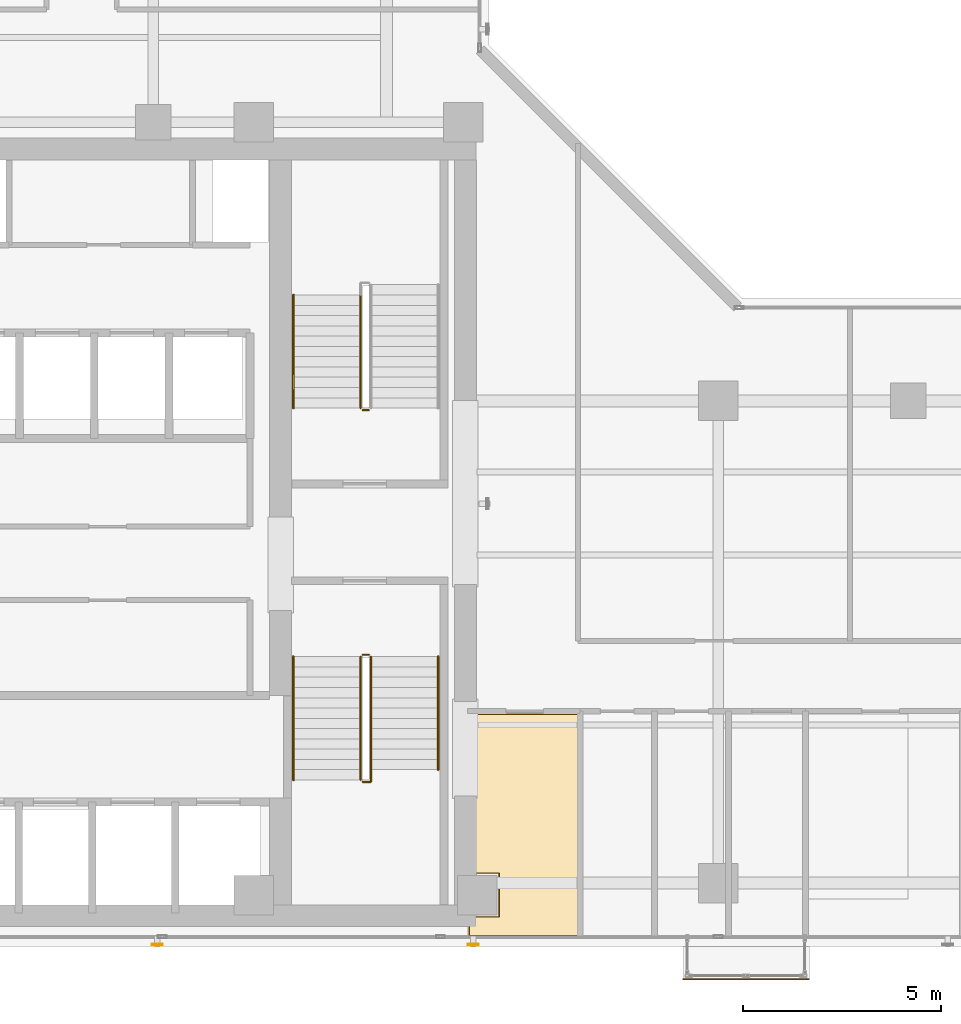
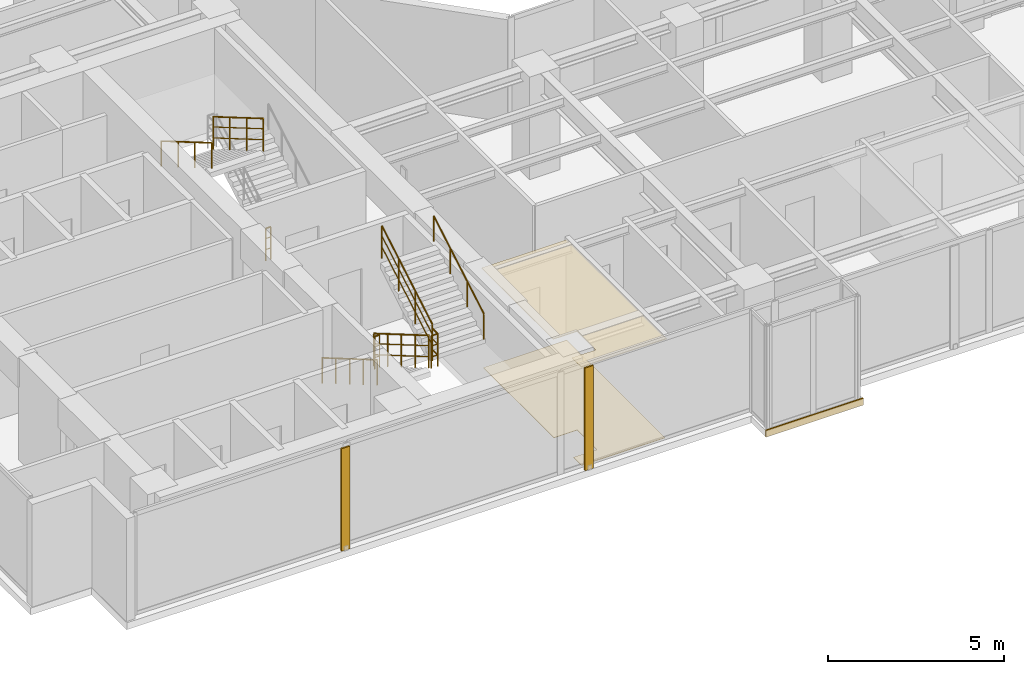
# One storey, part 20 of 22: 9 railings, 3 coverings, 2 shading devices.
"""IFC4 building model written with IfcOpenShell, lengths in metres."""

from ifc_helpers import new_model, si_unit, direction, frame, origin, origin_2d, place, context, subcontext, project, spatial, polyline, rectangle, hollow_rectangle, circle, outline, extrude, material, layer, layer_set, material_profile, profile_set, type_object, element, save


model = new_model("IFC4")

# Units and contexts
model_context = context("Model", 3, precision=1e-05, world=origin(), true_north=direction((0.0, 1.0)))
body_context = subcontext(model_context, "Body", "Model", "MODEL_VIEW")
ifc_project = project(units=[si_unit("LENGTHUNIT", "METRE"), si_unit("AREAUNIT", "SQUARE_METRE"), si_unit("VOLUMEUNIT", "CUBIC_METRE"), si_unit("PLANEANGLEUNIT", "RADIAN"), si_unit("MASSUNIT", "GRAM", prefix="KILO")], contexts=[model_context])

# Site, building, storey
site_placement = place(None, origin())
site = spatial("IfcSite", under=ifc_project, at=site_placement, CompositionType="ELEMENT")
building_placement = place(site_placement, origin())
building = spatial("IfcBuilding", under=site, at=building_placement, Name="Kolvaren Waterfront Exchange", CompositionType="ELEMENT")
storey_placement = place(building_placement, frame((0.0, 0.0, 246.300048828125)))
storey = spatial("IfcBuildingStorey", under=building, at=storey_placement, Name="L63", CompositionType="ELEMENT", Elevation=246.300048828125)

# Coverings
ifc_material_1 = material(Name="Mineral fibre acoustic ceiling tile")
ifc_layer_1 = layer(ifc_material_1, 0.02490234375, Name="Mineral fibre acoustic ceiling tile")
ifc_layer_set_1 = layer_set([ifc_layer_1], Name="Mineral fibre acoustic ceiling tile")
covering_type_1 = type_object("IfcCoveringType", Name="ARC-CEIL-ACOUSTIC-25", PredefinedType="CEILING", material=ifc_layer_set_1)
covering_1_placement = place(storey_placement, frame((0.0, 0.0, 3.445068359375)))
element("IfcCovering", 1, at=covering_1_placement, inside=storey, type_object=covering_type_1, Name="L63 acoustic suspended ceiling 1", PredefinedType="CEILING", context=body_context, shape_type="SweptSolid", body=[
    extrude(outline(polyline([(20.864990234375, 5.43994140625), (21.639892578125, 5.43994140625), (21.639892578125, 4.360107421875), (20.864990234375, 4.360107421875), (20.864990234375, 3.844970703125), (23.675048828125, 3.844970703125), (23.675048828125, 9.5048828125), (20.864990234375, 9.5048828125), (20.864990234375, 5.43994140625)])), origin(), (0.0, 0.0, 1.0), 0.02490234375),
])
ifc_material_2 = material(Name="Anodised bronze fascia aluminium", Category="aluminium")
ifc_layer_2 = layer(ifc_material_2, 0.034912109375, Name="Anodised bronze fascia aluminium")
ifc_layer_set_2 = layer_set([ifc_layer_2], Name="Anodised bronze fascia aluminium")
covering_type_2 = type_object("IfcCoveringType", Name="ARC-CLAD-BRONZE-35", PredefinedType="CLADDING", material=ifc_layer_set_2)
covering_2_placement = place(storey_placement, frame((27.89990234375, 2.77001953125, -0.22021484375), z_axis=(0.0, 0.0, 1.0), x_axis=(1.0, 0.0, 0.0)))
element("IfcCovering", 2, at=covering_2_placement, inside=storey, type_object=covering_type_2, Name="L63 ribbed anodised bronze bay-box fascia", PredefinedType="CLADDING", context=body_context, shape_type="SweptSolid", body=[
    extrude(rectangle(XDim=3.199951171875, YDim=0.034912109375, at=origin_2d()), origin(), (0.0, 0.0, 1.0), 0.239990234375),
])

# Shading devices
ifc_material_3 = material(Name="Anodised bronze aluminium 6063-T6", Category="aluminium")
ifc_material_profile = material_profile(ifc_material_3, hollow_rectangle(XDim=0.054931640625, YDim=0.280029296875, WallThickness=0.00439453125, at=origin_2d()), Name="BRZ-FIN-280x55x4.5")
ifc_profile_set = profile_set([ifc_material_profile], Name="Anodised bronze aluminium 6063-T6")
shading_device_type = type_object("IfcShadingDeviceType", Name="ARC-FIN-280", PredefinedType="USERDEFINED", material=ifc_profile_set)
for number, where, z_axis, x_axis, name in (
    (3, (13.0, 3.639892578125, 0.0), (0.0, 0.0, 1.0), (0.0, -1.0, 0.0), "L63 anodised bronze solar shading fin FIN-L63-S1"),
    (4, (21.0, 3.639892578125, 0.0), (0.0, 0.0, 1.0), (0.0, -1.0, 0.0), "L63 anodised bronze solar shading fin FIN-L63-S2"),
):
    element("IfcShadingDevice", number, at=place(storey_placement, frame(where, z_axis=z_axis, x_axis=x_axis)), inside=storey, type_object=shading_device_type, Name=name, ObjectType="SOLAR FIN", PredefinedType="USERDEFINED", context=body_context, shape_type="SweptSolid", body=[
        extrude(hollow_rectangle(XDim=0.054931640625, YDim=0.280029296875, WallThickness=0.00439453125, at=origin_2d()), origin(), (0.0, 0.0, 1.0), 3.56005859375),
    ])

# Covering
ifc_material_4 = material(Name="Slip-resistant porcelain tile")
ifc_layer_3 = layer(ifc_material_4, 0.014892578125, Name="Slip-resistant porcelain tile")
ifc_layer_set_3 = layer_set([ifc_layer_3], Name="Slip-resistant porcelain tile")
covering_type_3 = type_object("IfcCoveringType", Name="ARC-FLR-PORC-15", PredefinedType="FLOORING", material=ifc_layer_set_3)
covering_3_placement = place(storey_placement, origin())
element("IfcCovering", 5, at=covering_3_placement, inside=storey, type_object=covering_type_3, Name="L63 floor finish 1", PredefinedType="FLOORING", context=body_context, shape_type="SweptSolid", body=[
    extrude(outline(polyline([(20.89990234375, 4.340087890625), (20.89990234375, 3.8798828125), (23.639892578125, 3.8798828125), (23.639892578125, 9.469970703125), (20.89990234375, 9.469970703125), (20.89990234375, 5.4599609375), (21.659912109375, 5.4599609375), (21.659912109375, 4.340087890625), (20.89990234375, 4.340087890625)])), origin(), (0.0, 0.0, 1.0), 0.014892578125),
])

# Railings
ifc_material_5 = material(Name="Stainless steel 316", Category="steel")
railing_type_1 = type_object("IfcRailingType", Name="ARC-GUARD-STAIR", PredefinedType="GUARDRAIL", material=ifc_material_5)
railing_1_placement = place(storey_placement, frame((18.14990234375, 10.929931640625, 0.15185546875)))
element("IfcRailing", 6, at=railing_1_placement, inside=storey, type_object=railing_type_1, Name="L63 ST1 stair guard 1", PredefinedType="GUARDRAIL", context=body_context, shape_type="SweptSolid", body=[
    extrude(circle(Radius=0.02392578125, at=origin_2d()), frame((0.0, 0.0, 1.1259765625), z_axis=(0.0, -0.86329090724, 0.504706656858), x_axis=(1.0, 0.0, 0.0)), (0.0, 0.0, 1.0), 3.614013671875),
    extrude(circle(Radius=0.01611328125, at=origin_2d()), frame((0.0, 0.0, 0.390869140625), z_axis=(0.0, -0.86329090724, 0.504706656858), x_axis=(1.0, 0.0, 0.0)), (0.0, 0.0, 1.0), 3.614013671875),
    extrude(circle(Radius=0.01611328125, at=origin_2d()), frame((0.0, 0.0, 0.7705078125), z_axis=(0.0, -0.86329090724, 0.504706656858), x_axis=(1.0, 0.0, 0.0)), (0.0, 0.0, 1.0), 3.614013671875),
    extrude(circle(Radius=0.02099609375, at=origin_2d()), origin(), (0.0, 0.0, 1.0), 1.101806640625),
    extrude(circle(Radius=0.02099609375, at=origin_2d()), frame((0.0, -0.780029296875, 0.4560546875)), (0.0, 0.0, 1.0), 1.101806640625),
    extrude(circle(Radius=0.02099609375, at=origin_2d()), frame((0.0, -1.56005859375, 0.912109375)), (0.0, 0.0, 1.0), 1.101806640625),
    extrude(circle(Radius=0.02099609375, at=origin_2d()), frame((0.0, -2.33984375, 1.367919921875)), (0.0, 0.0, 1.0), 1.101806640625),
    extrude(circle(Radius=0.02099609375, at=origin_2d()), frame((0.0, -3.119873046875, 1.823974609375)), (0.0, 0.0, 1.0), 1.101806640625),
])
railing_2_placement = place(storey_placement, frame((18.199951171875, 7.760009765625, 1.975830078125)))
element("IfcRailing", 7, at=railing_2_placement, inside=storey, type_object=railing_type_1, Name="L63 ST1 stair guard 2", PredefinedType="GUARDRAIL", context=body_context, shape_type="SweptSolid", body=[
    extrude(circle(Radius=0.02392578125, at=origin_2d()), frame((0.0, 0.0, 1.1259765625), z_axis=(1.0, 0.0, 0.0), x_axis=(0.0, 1.0, 0.0)), (0.0, 0.0, 1.0), 0.2099609375),
    extrude(circle(Radius=0.01611328125, at=origin_2d()), frame((0.0, 0.0, 0.390869140625), z_axis=(1.0, 0.0, 0.0), x_axis=(0.0, 1.0, 0.0)), (0.0, 0.0, 1.0), 0.2099609375),
    extrude(circle(Radius=0.01611328125, at=origin_2d()), frame((0.0, 0.0, 0.7705078125), z_axis=(1.0, 0.0, 0.0), x_axis=(0.0, 1.0, 0.0)), (0.0, 0.0, 1.0), 0.2099609375),
    extrude(circle(Radius=0.02392578125, at=origin_2d()), frame((0.2099609375, 0.0, 1.1259765625), z_axis=(0.0, 1.0, 0.0), x_axis=(-1.0, 0.0, 0.0)), (0.0, 0.0, 1.0), 0.31005859375),
    extrude(circle(Radius=0.01611328125, at=origin_2d()), frame((0.2099609375, 0.0, 0.390869140625), z_axis=(0.0, 1.0, 0.0), x_axis=(-1.0, 0.0, 0.0)), (0.0, 0.0, 1.0), 0.31005859375),
    extrude(circle(Radius=0.01611328125, at=origin_2d()), frame((0.2099609375, 0.0, 0.7705078125), z_axis=(0.0, 1.0, 0.0), x_axis=(-1.0, 0.0, 0.0)), (0.0, 0.0, 1.0), 0.31005859375),
    extrude(circle(Radius=0.02099609375, at=origin_2d()), origin(), (0.0, 0.0, 1.0), 1.101806640625),
    extrude(circle(Radius=0.02099609375, at=origin_2d()), frame((0.2099609375, 0.0, 0.0)), (0.0, 0.0, 1.0), 1.101806640625),
    extrude(circle(Radius=0.02099609375, at=origin_2d()), frame((0.2099609375, 0.31005859375, 0.0)), (0.0, 0.0, 1.0), 1.101806640625),
])
railing_3_placement = place(storey_placement, frame((18.409912109375, 8.070068359375, 2.1279296875)))
element("IfcRailing", 8, at=railing_3_placement, inside=storey, type_object=railing_type_1, Name="L63 ST1 stair guard 3", PredefinedType="GUARDRAIL", context=body_context, shape_type="SweptSolid", body=[
    extrude(circle(Radius=0.02392578125, at=origin_2d()), frame((0.0, 0.0, 1.1259765625), z_axis=(0.0, 0.863270611444, 0.50474137082), x_axis=(-1.0, 0.0, 0.0)), (0.0, 0.0, 1.0), 3.312744140625),
    extrude(circle(Radius=0.01611328125, at=origin_2d()), frame((0.0, 0.0, 0.390869140625), z_axis=(0.0, 0.863270611444, 0.50474137082), x_axis=(-1.0, 0.0, 0.0)), (0.0, 0.0, 1.0), 3.312744140625),
    extrude(circle(Radius=0.01611328125, at=origin_2d()), frame((0.0, 0.0, 0.7705078125), z_axis=(0.0, 0.863270611444, 0.50474137082), x_axis=(-1.0, 0.0, 0.0)), (0.0, 0.0, 1.0), 3.312744140625),
    extrude(circle(Radius=0.02099609375, at=origin_2d()), origin(), (0.0, 0.0, 1.0), 1.101806640625),
    extrude(circle(Radius=0.02099609375, at=origin_2d()), frame((0.0, 0.953369140625, 0.557373046875)), (0.0, 0.0, 1.0), 1.101806640625),
    extrude(circle(Radius=0.02099609375, at=origin_2d()), frame((0.0, 1.906494140625, 1.11474609375)), (0.0, 0.0, 1.0), 1.101806640625),
    extrude(circle(Radius=0.02099609375, at=origin_2d()), frame((0.0, 2.85986328125, 1.672119140625)), (0.0, 0.0, 1.0), 1.101806640625),
])
railing_4_placement = place(storey_placement, frame((18.199951171875, 10.97998046875, 0.0)))
element("IfcRailing", 9, at=railing_4_placement, inside=storey, type_object=railing_type_1, Name="L63 ST1 stair guard 4", PredefinedType="GUARDRAIL", context=body_context, shape_type="SweptSolid", body=[
    extrude(circle(Radius=0.02392578125, at=origin_2d()), frame((0.0, 0.0, 1.1259765625), z_axis=(1.0, 0.0, 0.0), x_axis=(0.0, 1.0, 0.0)), (0.0, 0.0, 1.0), 0.16015625),
    extrude(circle(Radius=0.01611328125, at=origin_2d()), frame((0.0, 0.0, 0.390869140625), z_axis=(1.0, 0.0, 0.0), x_axis=(0.0, 1.0, 0.0)), (0.0, 0.0, 1.0), 0.16015625),
    extrude(circle(Radius=0.01611328125, at=origin_2d()), frame((0.0, 0.0, 0.7705078125), z_axis=(1.0, 0.0, 0.0), x_axis=(0.0, 1.0, 0.0)), (0.0, 0.0, 1.0), 0.16015625),
    extrude(circle(Radius=0.02099609375, at=origin_2d()), origin(), (0.0, 0.0, 1.0), 1.101806640625),
    extrude(circle(Radius=0.02099609375, at=origin_2d()), frame((0.16015625, 0.0, 0.0)), (0.0, 0.0, 1.0), 1.101806640625),
])
railing_5_placement = place(storey_placement, frame((18.14990234375, 20.080078125, 2.1279296875)))
element("IfcRailing", 10, at=railing_5_placement, inside=storey, type_object=railing_type_1, Name="L63 ST2 stair guard 3", PredefinedType="GUARDRAIL", context=body_context, shape_type="SweptSolid", body=[
    extrude(circle(Radius=0.02392578125, at=origin_2d()), frame((0.0, 0.0, 1.1259765625), z_axis=(0.0, -0.863289384635, 0.504709261235), x_axis=(1.0, 0.0, 0.0)), (0.0, 0.0, 1.0), 3.31298828125),
    extrude(circle(Radius=0.01611328125, at=origin_2d()), frame((0.0, 0.0, 0.390869140625), z_axis=(0.0, -0.863289384635, 0.504709261235), x_axis=(1.0, 0.0, 0.0)), (0.0, 0.0, 1.0), 3.31298828125),
    extrude(circle(Radius=0.01611328125, at=origin_2d()), frame((0.0, 0.0, 0.7705078125), z_axis=(0.0, -0.863289384635, 0.504709261235), x_axis=(1.0, 0.0, 0.0)), (0.0, 0.0, 1.0), 3.31298828125),
    extrude(circle(Radius=0.02099609375, at=origin_2d()), origin(), (0.0, 0.0, 1.0), 1.101806640625),
    extrude(circle(Radius=0.02099609375, at=origin_2d()), frame((0.0, -0.953369140625, 0.557373046875)), (0.0, 0.0, 1.0), 1.101806640625),
    extrude(circle(Radius=0.02099609375, at=origin_2d()), frame((0.0, -1.90673828125, 1.11474609375)), (0.0, 0.0, 1.0), 1.101806640625),
    extrude(circle(Radius=0.02099609375, at=origin_2d()), frame((0.0, -2.860107421875, 1.672119140625)), (0.0, 0.0, 1.0), 1.101806640625),
])
railing_6_placement = place(storey_placement, frame((18.360107421875, 17.169921875, 0.0)))
element("IfcRailing", 11, at=railing_6_placement, inside=storey, type_object=railing_type_1, Name="L63 ST2 stair guard 4", PredefinedType="GUARDRAIL", context=body_context, shape_type="SweptSolid", body=[
    extrude(circle(Radius=0.02392578125, at=origin_2d()), frame((0.0, 0.0, 1.1259765625), z_axis=(-1.0, 0.0, 0.0), x_axis=(0.0, -1.0, 0.0)), (0.0, 0.0, 1.0), 0.16015625),
    extrude(circle(Radius=0.01611328125, at=origin_2d()), frame((0.0, 0.0, 0.390869140625), z_axis=(-1.0, 0.0, 0.0), x_axis=(0.0, -1.0, 0.0)), (0.0, 0.0, 1.0), 0.16015625),
    extrude(circle(Radius=0.01611328125, at=origin_2d()), frame((0.0, 0.0, 0.7705078125), z_axis=(-1.0, 0.0, 0.0), x_axis=(0.0, -1.0, 0.0)), (0.0, 0.0, 1.0), 0.16015625),
    extrude(circle(Radius=0.02099609375, at=origin_2d()), origin(), (0.0, 0.0, 1.0), 1.101806640625),
    extrude(circle(Radius=0.02099609375, at=origin_2d()), frame((-0.16015625, 0.0, 0.0)), (0.0, 0.0, 1.0), 1.101806640625),
])
railing_type_2 = type_object("IfcRailingType", Name="ARC-HANDRAIL-900", PredefinedType="HANDRAIL", material=ifc_material_5)
railing_7_placement = place(storey_placement, frame((16.449951171875, 10.929931640625, 0.15185546875)))
element("IfcRailing", 12, at=railing_7_placement, inside=storey, type_object=railing_type_2, Name="L63 ST1 stair handrail 1", PredefinedType="HANDRAIL", context=body_context, shape_type="SweptSolid", body=[
    extrude(circle(Radius=0.02392578125, at=origin_2d()), frame((0.0, 0.0, 0.8759765625), z_axis=(0.0, -0.86329090724, 0.504706656858), x_axis=(1.0, 0.0, 0.0)), (0.0, 0.0, 1.0), 3.614013671875),
    extrude(circle(Radius=0.02099609375, at=origin_2d()), origin(), (0.0, 0.0, 1.0), 0.851806640625),
    extrude(circle(Radius=0.02099609375, at=origin_2d()), frame((0.0, -0.780029296875, 0.4560546875)), (0.0, 0.0, 1.0), 0.851806640625),
    extrude(circle(Radius=0.02099609375, at=origin_2d()), frame((0.0, -1.56005859375, 0.912109375)), (0.0, 0.0, 1.0), 0.851806640625),
    extrude(circle(Radius=0.02099609375, at=origin_2d()), frame((0.0, -2.33984375, 1.367919921875)), (0.0, 0.0, 1.0), 0.851806640625),
    extrude(circle(Radius=0.02099609375, at=origin_2d()), frame((0.0, -3.119873046875, 1.823974609375)), (0.0, 0.0, 1.0), 0.851806640625),
])
railing_8_placement = place(storey_placement, frame((20.110107421875, 8.070068359375, 2.1279296875)))
element("IfcRailing", 13, at=railing_8_placement, inside=storey, type_object=railing_type_2, Name="L63 ST1 stair handrail 2", PredefinedType="HANDRAIL", context=body_context, shape_type="SweptSolid", body=[
    extrude(circle(Radius=0.02392578125, at=origin_2d()), frame((0.0, 0.0, 0.8759765625), z_axis=(0.0, 0.863270611444, 0.50474137082), x_axis=(-1.0, 0.0, 0.0)), (0.0, 0.0, 1.0), 3.312744140625),
    extrude(circle(Radius=0.02099609375, at=origin_2d()), origin(), (0.0, 0.0, 1.0), 0.851806640625),
    extrude(circle(Radius=0.02099609375, at=origin_2d()), frame((0.0, 0.953369140625, 0.557373046875)), (0.0, 0.0, 1.0), 0.851806640625),
    extrude(circle(Radius=0.02099609375, at=origin_2d()), frame((0.0, 1.906494140625, 1.11474609375)), (0.0, 0.0, 1.0), 0.851806640625),
    extrude(circle(Radius=0.02099609375, at=origin_2d()), frame((0.0, 2.85986328125, 1.672119140625)), (0.0, 0.0, 1.0), 0.851806640625),
])
railing_9_placement = place(storey_placement, frame((16.449951171875, 20.080078125, 2.1279296875)))
element("IfcRailing", 14, at=railing_9_placement, inside=storey, type_object=railing_type_2, Name="L63 ST2 stair handrail 2", PredefinedType="HANDRAIL", context=body_context, shape_type="SweptSolid", body=[
    extrude(circle(Radius=0.02392578125, at=origin_2d()), frame((0.0, 0.0, 0.8759765625), z_axis=(0.0, -0.863289384635, 0.504709261235), x_axis=(1.0, 0.0, 0.0)), (0.0, 0.0, 1.0), 3.31298828125),
    extrude(circle(Radius=0.02099609375, at=origin_2d()), origin(), (0.0, 0.0, 1.0), 0.851806640625),
    extrude(circle(Radius=0.02099609375, at=origin_2d()), frame((0.0, -0.953369140625, 0.557373046875)), (0.0, 0.0, 1.0), 0.851806640625),
    extrude(circle(Radius=0.02099609375, at=origin_2d()), frame((0.0, -1.90673828125, 1.11474609375)), (0.0, 0.0, 1.0), 0.851806640625),
    extrude(circle(Radius=0.02099609375, at=origin_2d()), frame((0.0, -2.860107421875, 1.672119140625)), (0.0, 0.0, 1.0), 0.851806640625),
])

save(model, "model.ifc")
